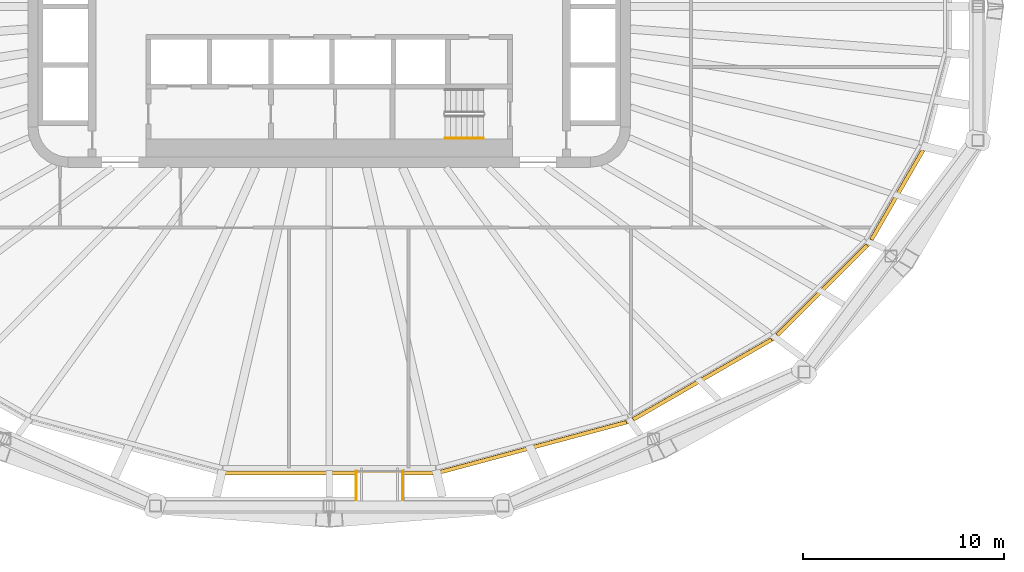
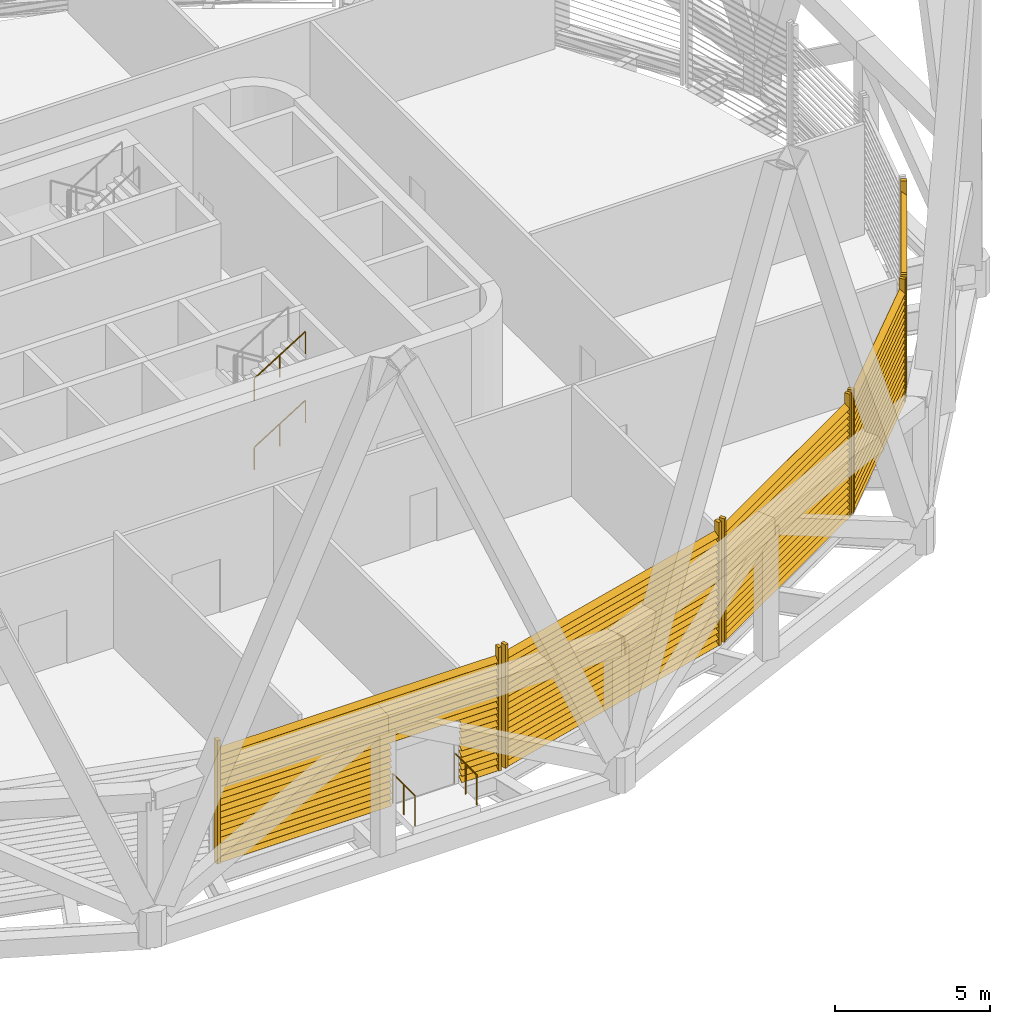
# One storey, part 14 of 18: 5 shading devices, 4 railings.
"""IFC4 building model written with IfcOpenShell, lengths in metres."""

from ifc_helpers import new_model, si_unit, direction, frame, origin, origin_2d, place, context, subcontext, project, spatial, rectangle, circle, extrude, material, type_object, element, save


model = new_model("IFC4")

# Units and contexts
model_context = context("Model", 3, precision=1e-05, world=origin(), true_north=direction((0.0, 1.0)))
body_context = subcontext(model_context, "Body", "Model", "MODEL_VIEW")
ifc_project = project(units=[si_unit("LENGTHUNIT", "METRE"), si_unit("AREAUNIT", "SQUARE_METRE"), si_unit("VOLUMEUNIT", "CUBIC_METRE"), si_unit("PLANEANGLEUNIT", "RADIAN"), si_unit("MASSUNIT", "GRAM", prefix="KILO")], contexts=[model_context])

# Site, building, storey
site_placement = place(None, origin())
site = spatial("IfcSite", under=ifc_project, at=site_placement, CompositionType="ELEMENT")
building_placement = place(site_placement, origin())
building = spatial("IfcBuilding", under=site, at=building_placement, Name="Sahrelin Media Tower", CompositionType="ELEMENT")
storey_placement = place(building_placement, frame((0.0, 0.0, 197.60009765625)))
storey = spatial("IfcBuildingStorey", under=building, at=storey_placement, Name="L42", CompositionType="ELEMENT", Elevation=197.60009765625)

# Railings
ifc_material_1 = material(Name="Stainless steel 316", Category="steel")
railing_type_1 = type_object("IfcRailingType", Name="Maintenance platform guard", PredefinedType="GUARDRAIL", material=ifc_material_1)
for number, where, name in (
    (1, (1.35009765625, -23.119140625, 0.0), "Maintenance platform guard L42-18-A"),
    (2, (3.64990234375, -23.119140625, 0.0), "Maintenance platform guard L42-18-B"),
):
    element("IfcRailing", number, at=place(storey_placement, frame(where)), inside=storey, type_object=railing_type_1, Name=name, PredefinedType="GUARDRAIL", context=body_context, shape_type="SweptSolid", body=[
        extrude(circle(Radius=0.02392578125, at=origin_2d()), frame((0.0, 0.0, 1.17578125), z_axis=(0.0, -1.0, 0.0), x_axis=(1.0, 0.0, 0.0)), (0.0, 0.0, 1.0), 1.43310546875),
        extrude(circle(Radius=0.02099609375, at=origin_2d()), origin(), (0.0, 0.0, 1.0), 1.15185546875),
        extrude(circle(Radius=0.02099609375, at=origin_2d()), frame((0.0, -0.716552734375, 0.0)), (0.0, 0.0, 1.0), 1.15185546875),
        extrude(circle(Radius=0.02099609375, at=origin_2d()), frame((0.0, -1.43310546875, 0.0)), (0.0, 0.0, 1.0), 1.15185546875),
    ])

# Shading devices
ifc_material_2 = material(Name="Champagne anodised aluminium 6063-T6", Category="aluminium")
shading_device_type = type_object("IfcShadingDeviceType", Name="Sand-rejection louvre band", PredefinedType="USERDEFINED", material=ifc_material_2)
shading_device_1_placement = place(storey_placement, frame((0.0, -23.119140625, 0.0), z_axis=(0.0, 0.0, 1.0), x_axis=(-1.0, 0.0, 0.0)))
element("IfcShadingDevice", 3, at=shading_device_1_placement, inside=storey, type_object=shading_device_type, Name="L42:LOUVRE:L42-18", ObjectType="LOUVRE", PredefinedType="USERDEFINED", context=body_context, shape_type="SweptSolid", body=[
    extrude(rectangle(XDim=0.1201171875, YDim=0.199951171875, at=origin_2d()), frame((5.222412109375, 0.10009765625, 0.050048828125), z_axis=(0.0, 0.0, 1.0), x_axis=(1.0, 0.0, 0.0)), (0.0, 0.0, 1.0), 4.8486328125),
    extrude(rectangle(XDim=0.1201171875, YDim=0.199951171875, at=origin_2d()), frame((-5.222412109375, 0.10009765625, 0.050048828125), z_axis=(0.0, 0.0, 1.0), x_axis=(1.0, 0.0, 0.0)), (0.0, 0.0, 1.0), 4.8486328125),
    extrude(rectangle(XDim=0.25, YDim=0.02001953125, at=origin_2d()), frame((5.162353515625, 0.10009765625, 0.14990234375), z_axis=(-1.0, 0.0, 0.0), x_axis=(0.0, -0.766044443119, 0.642787609687)), (0.0, 0.0, 1.0), 6.3623046875),
    extrude(rectangle(XDim=0.25, YDim=0.02001953125, at=origin_2d()), frame((-3.800048828125, 0.10009765625, 0.14990234375), z_axis=(-1.0, 0.0, 0.0), x_axis=(0.0, -0.766044443119, 0.642787609687)), (0.0, 0.0, 1.0), 1.3623046875),
    extrude(rectangle(XDim=0.25, YDim=0.02001953125, at=origin_2d()), frame((5.162353515625, 0.10009765625, 0.39990234375), z_axis=(-1.0, 0.0, 0.0), x_axis=(0.0, -0.766044443119, 0.642787609687)), (0.0, 0.0, 1.0), 6.3623046875),
    extrude(rectangle(XDim=0.25, YDim=0.02001953125, at=origin_2d()), frame((-3.800048828125, 0.10009765625, 0.39990234375), z_axis=(-1.0, 0.0, 0.0), x_axis=(0.0, -0.766044443119, 0.642787609687)), (0.0, 0.0, 1.0), 1.3623046875),
    extrude(rectangle(XDim=0.25, YDim=0.02001953125, at=origin_2d()), frame((5.162353515625, 0.10009765625, 0.64990234375), z_axis=(-1.0, 0.0, 0.0), x_axis=(0.0, -0.766044443119, 0.642787609687)), (0.0, 0.0, 1.0), 6.3623046875),
    extrude(rectangle(XDim=0.25, YDim=0.02001953125, at=origin_2d()), frame((-3.800048828125, 0.10009765625, 0.64990234375), z_axis=(-1.0, 0.0, 0.0), x_axis=(0.0, -0.766044443119, 0.642787609687)), (0.0, 0.0, 1.0), 1.3623046875),
    extrude(rectangle(XDim=0.25, YDim=0.02001953125, at=origin_2d()), frame((5.162353515625, 0.10009765625, 0.89990234375), z_axis=(-1.0, 0.0, 0.0), x_axis=(0.0, -0.766044443119, 0.642787609687)), (0.0, 0.0, 1.0), 6.3623046875),
    extrude(rectangle(XDim=0.25, YDim=0.02001953125, at=origin_2d()), frame((-3.800048828125, 0.10009765625, 0.89990234375), z_axis=(-1.0, 0.0, 0.0), x_axis=(0.0, -0.766044443119, 0.642787609687)), (0.0, 0.0, 1.0), 1.3623046875),
    extrude(rectangle(XDim=0.25, YDim=0.02001953125, at=origin_2d()), frame((5.162353515625, 0.10009765625, 1.14990234375), z_axis=(-1.0, 0.0, 0.0), x_axis=(0.0, -0.766044443119, 0.642787609687)), (0.0, 0.0, 1.0), 6.3623046875),
    extrude(rectangle(XDim=0.25, YDim=0.02001953125, at=origin_2d()), frame((-3.800048828125, 0.10009765625, 1.14990234375), z_axis=(-1.0, 0.0, 0.0), x_axis=(0.0, -0.766044443119, 0.642787609687)), (0.0, 0.0, 1.0), 1.3623046875),
    extrude(rectangle(XDim=0.25, YDim=0.02001953125, at=origin_2d()), frame((5.162353515625, 0.10009765625, 1.39990234375), z_axis=(-1.0, 0.0, 0.0), x_axis=(0.0, -0.766044443119, 0.642787609687)), (0.0, 0.0, 1.0), 6.3623046875),
    extrude(rectangle(XDim=0.25, YDim=0.02001953125, at=origin_2d()), frame((-3.800048828125, 0.10009765625, 1.39990234375), z_axis=(-1.0, 0.0, 0.0), x_axis=(0.0, -0.766044443119, 0.642787609687)), (0.0, 0.0, 1.0), 1.3623046875),
    extrude(rectangle(XDim=0.25, YDim=0.02001953125, at=origin_2d()), frame((5.162353515625, 0.10009765625, 1.64990234375), z_axis=(-1.0, 0.0, 0.0), x_axis=(0.0, -0.766044443119, 0.642787609687)), (0.0, 0.0, 1.0), 6.3623046875),
    extrude(rectangle(XDim=0.25, YDim=0.02001953125, at=origin_2d()), frame((-3.800048828125, 0.10009765625, 1.64990234375), z_axis=(-1.0, 0.0, 0.0), x_axis=(0.0, -0.766044443119, 0.642787609687)), (0.0, 0.0, 1.0), 1.3623046875),
    extrude(rectangle(XDim=0.25, YDim=0.02001953125, at=origin_2d()), frame((5.162353515625, 0.10009765625, 1.89990234375), z_axis=(-1.0, 0.0, 0.0), x_axis=(0.0, -0.766044443119, 0.642787609687)), (0.0, 0.0, 1.0), 6.3623046875),
    extrude(rectangle(XDim=0.25, YDim=0.02001953125, at=origin_2d()), frame((-3.800048828125, 0.10009765625, 1.89990234375), z_axis=(-1.0, 0.0, 0.0), x_axis=(0.0, -0.766044443119, 0.642787609687)), (0.0, 0.0, 1.0), 1.3623046875),
    extrude(rectangle(XDim=0.25, YDim=0.02001953125, at=origin_2d()), frame((5.162353515625, 0.10009765625, 2.14990234375), z_axis=(-1.0, 0.0, 0.0), x_axis=(0.0, -0.766044443119, 0.642787609687)), (0.0, 0.0, 1.0), 6.3623046875),
    extrude(rectangle(XDim=0.25, YDim=0.02001953125, at=origin_2d()), frame((-3.800048828125, 0.10009765625, 2.14990234375), z_axis=(-1.0, 0.0, 0.0), x_axis=(0.0, -0.766044443119, 0.642787609687)), (0.0, 0.0, 1.0), 1.3623046875),
    extrude(rectangle(XDim=0.25, YDim=0.02001953125, at=origin_2d()), frame((5.162353515625, 0.10009765625, 2.39990234375), z_axis=(-1.0, 0.0, 0.0), x_axis=(0.0, -0.766044443119, 0.642787609687)), (0.0, 0.0, 1.0), 6.3623046875),
    extrude(rectangle(XDim=0.25, YDim=0.02001953125, at=origin_2d()), frame((-3.800048828125, 0.10009765625, 2.39990234375), z_axis=(-1.0, 0.0, 0.0), x_axis=(0.0, -0.766044443119, 0.642787609687)), (0.0, 0.0, 1.0), 1.3623046875),
    extrude(rectangle(XDim=0.25, YDim=0.02001953125, at=origin_2d()), frame((5.162353515625, 0.10009765625, 2.64990234375), z_axis=(-1.0, 0.0, 0.0), x_axis=(0.0, -0.766044443119, 0.642787609687)), (0.0, 0.0, 1.0), 10.32470703125),
    extrude(rectangle(XDim=0.25, YDim=0.02001953125, at=origin_2d()), frame((5.162353515625, 0.10009765625, 2.89990234375), z_axis=(-1.0, 0.0, 0.0), x_axis=(0.0, -0.766044443119, 0.642787609687)), (0.0, 0.0, 1.0), 10.32470703125),
    extrude(rectangle(XDim=0.25, YDim=0.02001953125, at=origin_2d()), frame((5.162353515625, 0.10009765625, 3.14990234375), z_axis=(-1.0, 0.0, 0.0), x_axis=(0.0, -0.766044443119, 0.642787609687)), (0.0, 0.0, 1.0), 10.32470703125),
    extrude(rectangle(XDim=0.25, YDim=0.02001953125, at=origin_2d()), frame((5.162353515625, 0.10009765625, 3.39990234375), z_axis=(-1.0, 0.0, 0.0), x_axis=(0.0, -0.766044443119, 0.642787609687)), (0.0, 0.0, 1.0), 10.32470703125),
    extrude(rectangle(XDim=0.25, YDim=0.02001953125, at=origin_2d()), frame((5.162353515625, 0.10009765625, 3.64990234375), z_axis=(-1.0, 0.0, 0.0), x_axis=(0.0, -0.766044443119, 0.642787609687)), (0.0, 0.0, 1.0), 10.32470703125),
    extrude(rectangle(XDim=0.25, YDim=0.02001953125, at=origin_2d()), frame((5.162353515625, 0.10009765625, 3.89990234375), z_axis=(-1.0, 0.0, 0.0), x_axis=(0.0, -0.766044443119, 0.642787609687)), (0.0, 0.0, 1.0), 10.32470703125),
    extrude(rectangle(XDim=0.25, YDim=0.02001953125, at=origin_2d()), frame((5.162353515625, 0.10009765625, 4.14990234375), z_axis=(-1.0, 0.0, 0.0), x_axis=(0.0, -0.766044443119, 0.642787609687)), (0.0, 0.0, 1.0), 10.32470703125),
    extrude(rectangle(XDim=0.25, YDim=0.02001953125, at=origin_2d()), frame((5.162353515625, 0.10009765625, 4.39990234375), z_axis=(-1.0, 0.0, 0.0), x_axis=(0.0, -0.766044443119, 0.642787609687)), (0.0, 0.0, 1.0), 10.32470703125),
])
shading_device_2_placement = place(storey_placement, frame((10.13037109375, -21.83349609375, 0.0), z_axis=(0.0, 0.0, 1.0), x_axis=(-0.965928857556, -0.258807731996, 0.0)))
element("IfcShadingDevice", 4, at=shading_device_2_placement, inside=storey, type_object=shading_device_type, Name="L42:LOUVRE:L42-19", ObjectType="LOUVRE", PredefinedType="USERDEFINED", context=body_context, shape_type="SweptSolid", body=[
    extrude(rectangle(XDim=0.1201171875, YDim=0.199951171875, at=origin_2d()), frame((4.857177734375, 0.10009765625, 0.050048828125), z_axis=(0.0, 0.0, 1.0), x_axis=(1.0, 0.0, 0.0)), (0.0, 0.0, 1.0), 4.8486328125),
    extrude(rectangle(XDim=0.1201171875, YDim=0.199951171875, at=origin_2d()), frame((-4.857177734375, 0.10009765625, 0.050048828125), z_axis=(0.0, 0.0, 1.0), x_axis=(1.0, 0.0, 0.0)), (0.0, 0.0, 1.0), 4.8486328125),
    extrude(rectangle(XDim=0.25, YDim=0.02001953125, at=origin_2d()), frame((4.797119140625, 0.10009765625, 0.14990234375), z_axis=(-1.0, 0.0, 0.0), x_axis=(0.0, -0.766044443119, 0.642787609687)), (0.0, 0.0, 1.0), 9.59423828125),
    extrude(rectangle(XDim=0.25, YDim=0.02001953125, at=origin_2d()), frame((4.797119140625, 0.10009765625, 0.39990234375), z_axis=(-1.0, 0.0, 0.0), x_axis=(0.0, -0.766044443119, 0.642787609687)), (0.0, 0.0, 1.0), 9.59423828125),
    extrude(rectangle(XDim=0.25, YDim=0.02001953125, at=origin_2d()), frame((4.797119140625, 0.10009765625, 0.64990234375), z_axis=(-1.0, 0.0, 0.0), x_axis=(0.0, -0.766044443119, 0.642787609687)), (0.0, 0.0, 1.0), 9.59423828125),
    extrude(rectangle(XDim=0.25, YDim=0.02001953125, at=origin_2d()), frame((4.797119140625, 0.10009765625, 0.89990234375), z_axis=(-1.0, 0.0, 0.0), x_axis=(0.0, -0.766044443119, 0.642787609687)), (0.0, 0.0, 1.0), 9.59423828125),
    extrude(rectangle(XDim=0.25, YDim=0.02001953125, at=origin_2d()), frame((4.797119140625, 0.10009765625, 1.14990234375), z_axis=(-1.0, 0.0, 0.0), x_axis=(0.0, -0.766044443119, 0.642787609687)), (0.0, 0.0, 1.0), 9.59423828125),
    extrude(rectangle(XDim=0.25, YDim=0.02001953125, at=origin_2d()), frame((4.797119140625, 0.10009765625, 1.39990234375), z_axis=(-1.0, 0.0, 0.0), x_axis=(0.0, -0.766044443119, 0.642787609687)), (0.0, 0.0, 1.0), 9.59423828125),
    extrude(rectangle(XDim=0.25, YDim=0.02001953125, at=origin_2d()), frame((4.797119140625, 0.10009765625, 1.64990234375), z_axis=(-1.0, 0.0, 0.0), x_axis=(0.0, -0.766044443119, 0.642787609687)), (0.0, 0.0, 1.0), 9.59423828125),
    extrude(rectangle(XDim=0.25, YDim=0.02001953125, at=origin_2d()), frame((4.797119140625, 0.10009765625, 1.89990234375), z_axis=(-1.0, 0.0, 0.0), x_axis=(0.0, -0.766044443119, 0.642787609687)), (0.0, 0.0, 1.0), 9.59423828125),
    extrude(rectangle(XDim=0.25, YDim=0.02001953125, at=origin_2d()), frame((4.797119140625, 0.10009765625, 2.14990234375), z_axis=(-1.0, 0.0, 0.0), x_axis=(0.0, -0.766044443119, 0.642787609687)), (0.0, 0.0, 1.0), 9.59423828125),
    extrude(rectangle(XDim=0.25, YDim=0.02001953125, at=origin_2d()), frame((4.797119140625, 0.10009765625, 2.39990234375), z_axis=(-1.0, 0.0, 0.0), x_axis=(0.0, -0.766044443119, 0.642787609687)), (0.0, 0.0, 1.0), 9.59423828125),
    extrude(rectangle(XDim=0.25, YDim=0.02001953125, at=origin_2d()), frame((4.797119140625, 0.10009765625, 2.64990234375), z_axis=(-1.0, 0.0, 0.0), x_axis=(0.0, -0.766044443119, 0.642787609687)), (0.0, 0.0, 1.0), 9.59423828125),
    extrude(rectangle(XDim=0.25, YDim=0.02001953125, at=origin_2d()), frame((4.797119140625, 0.10009765625, 2.89990234375), z_axis=(-1.0, 0.0, 0.0), x_axis=(0.0, -0.766044443119, 0.642787609687)), (0.0, 0.0, 1.0), 9.59423828125),
    extrude(rectangle(XDim=0.25, YDim=0.02001953125, at=origin_2d()), frame((4.797119140625, 0.10009765625, 3.14990234375), z_axis=(-1.0, 0.0, 0.0), x_axis=(0.0, -0.766044443119, 0.642787609687)), (0.0, 0.0, 1.0), 9.59423828125),
    extrude(rectangle(XDim=0.25, YDim=0.02001953125, at=origin_2d()), frame((4.797119140625, 0.10009765625, 3.39990234375), z_axis=(-1.0, 0.0, 0.0), x_axis=(0.0, -0.766044443119, 0.642787609687)), (0.0, 0.0, 1.0), 9.59423828125),
    extrude(rectangle(XDim=0.25, YDim=0.02001953125, at=origin_2d()), frame((4.797119140625, 0.10009765625, 3.64990234375), z_axis=(-1.0, 0.0, 0.0), x_axis=(0.0, -0.766044443119, 0.642787609687)), (0.0, 0.0, 1.0), 9.59423828125),
    extrude(rectangle(XDim=0.25, YDim=0.02001953125, at=origin_2d()), frame((4.797119140625, 0.10009765625, 3.89990234375), z_axis=(-1.0, 0.0, 0.0), x_axis=(0.0, -0.766044443119, 0.642787609687)), (0.0, 0.0, 1.0), 9.59423828125),
    extrude(rectangle(XDim=0.25, YDim=0.02001953125, at=origin_2d()), frame((4.797119140625, 0.10009765625, 4.14990234375), z_axis=(-1.0, 0.0, 0.0), x_axis=(0.0, -0.766044443119, 0.642787609687)), (0.0, 0.0, 1.0), 9.59423828125),
    extrude(rectangle(XDim=0.25, YDim=0.02001953125, at=origin_2d()), frame((4.797119140625, 0.10009765625, 4.39990234375), z_axis=(-1.0, 0.0, 0.0), x_axis=(0.0, -0.766044443119, 0.642787609687)), (0.0, 0.0, 1.0), 9.59423828125),
])
shading_device_3_placement = place(storey_placement, frame((18.518798828125, -18.47509765625, 0.0), z_axis=(0.0, 0.0, 1.0), x_axis=(-0.866019052629, -0.500011000363, 0.0)))
element("IfcShadingDevice", 5, at=shading_device_3_placement, inside=storey, type_object=shading_device_type, Name="L42:LOUVRE:L42-20", ObjectType="LOUVRE", PredefinedType="USERDEFINED", context=body_context, shape_type="SweptSolid", body=[
    extrude(rectangle(XDim=0.1201171875, YDim=0.199951171875, at=origin_2d()), frame((4.035888671875, 0.10009765625, 0.050048828125), z_axis=(0.0, 0.0, 1.0), x_axis=(1.0, 0.0, 0.0)), (0.0, 0.0, 1.0), 4.8486328125),
    extrude(rectangle(XDim=0.1201171875, YDim=0.199951171875, at=origin_2d()), frame((-4.035888671875, 0.10009765625, 0.050048828125), z_axis=(0.0, 0.0, 1.0), x_axis=(1.0, 0.0, 0.0)), (0.0, 0.0, 1.0), 4.8486328125),
    extrude(rectangle(XDim=0.25, YDim=0.02001953125, at=origin_2d()), frame((3.975830078125, 0.10009765625, 0.14990234375), z_axis=(-1.0, 0.0, 0.0), x_axis=(0.0, -0.766044443119, 0.642787609687)), (0.0, 0.0, 1.0), 7.95166015625),
    extrude(rectangle(XDim=0.25, YDim=0.02001953125, at=origin_2d()), frame((3.975830078125, 0.10009765625, 0.39990234375), z_axis=(-1.0, 0.0, 0.0), x_axis=(0.0, -0.766044443119, 0.642787609687)), (0.0, 0.0, 1.0), 7.95166015625),
    extrude(rectangle(XDim=0.25, YDim=0.02001953125, at=origin_2d()), frame((3.975830078125, 0.10009765625, 0.64990234375), z_axis=(-1.0, 0.0, 0.0), x_axis=(0.0, -0.766044443119, 0.642787609687)), (0.0, 0.0, 1.0), 7.95166015625),
    extrude(rectangle(XDim=0.25, YDim=0.02001953125, at=origin_2d()), frame((3.975830078125, 0.10009765625, 0.89990234375), z_axis=(-1.0, 0.0, 0.0), x_axis=(0.0, -0.766044443119, 0.642787609687)), (0.0, 0.0, 1.0), 7.95166015625),
    extrude(rectangle(XDim=0.25, YDim=0.02001953125, at=origin_2d()), frame((3.975830078125, 0.10009765625, 1.14990234375), z_axis=(-1.0, 0.0, 0.0), x_axis=(0.0, -0.766044443119, 0.642787609687)), (0.0, 0.0, 1.0), 7.95166015625),
    extrude(rectangle(XDim=0.25, YDim=0.02001953125, at=origin_2d()), frame((3.975830078125, 0.10009765625, 1.39990234375), z_axis=(-1.0, 0.0, 0.0), x_axis=(0.0, -0.766044443119, 0.642787609687)), (0.0, 0.0, 1.0), 7.95166015625),
    extrude(rectangle(XDim=0.25, YDim=0.02001953125, at=origin_2d()), frame((3.975830078125, 0.10009765625, 1.64990234375), z_axis=(-1.0, 0.0, 0.0), x_axis=(0.0, -0.766044443119, 0.642787609687)), (0.0, 0.0, 1.0), 7.95166015625),
    extrude(rectangle(XDim=0.25, YDim=0.02001953125, at=origin_2d()), frame((3.975830078125, 0.10009765625, 1.89990234375), z_axis=(-1.0, 0.0, 0.0), x_axis=(0.0, -0.766044443119, 0.642787609687)), (0.0, 0.0, 1.0), 7.95166015625),
    extrude(rectangle(XDim=0.25, YDim=0.02001953125, at=origin_2d()), frame((3.975830078125, 0.10009765625, 2.14990234375), z_axis=(-1.0, 0.0, 0.0), x_axis=(0.0, -0.766044443119, 0.642787609687)), (0.0, 0.0, 1.0), 7.95166015625),
    extrude(rectangle(XDim=0.25, YDim=0.02001953125, at=origin_2d()), frame((3.975830078125, 0.10009765625, 2.39990234375), z_axis=(-1.0, 0.0, 0.0), x_axis=(0.0, -0.766044443119, 0.642787609687)), (0.0, 0.0, 1.0), 7.95166015625),
    extrude(rectangle(XDim=0.25, YDim=0.02001953125, at=origin_2d()), frame((3.975830078125, 0.10009765625, 2.64990234375), z_axis=(-1.0, 0.0, 0.0), x_axis=(0.0, -0.766044443119, 0.642787609687)), (0.0, 0.0, 1.0), 7.95166015625),
    extrude(rectangle(XDim=0.25, YDim=0.02001953125, at=origin_2d()), frame((3.975830078125, 0.10009765625, 2.89990234375), z_axis=(-1.0, 0.0, 0.0), x_axis=(0.0, -0.766044443119, 0.642787609687)), (0.0, 0.0, 1.0), 7.95166015625),
    extrude(rectangle(XDim=0.25, YDim=0.02001953125, at=origin_2d()), frame((3.975830078125, 0.10009765625, 3.14990234375), z_axis=(-1.0, 0.0, 0.0), x_axis=(0.0, -0.766044443119, 0.642787609687)), (0.0, 0.0, 1.0), 7.95166015625),
    extrude(rectangle(XDim=0.25, YDim=0.02001953125, at=origin_2d()), frame((3.975830078125, 0.10009765625, 3.39990234375), z_axis=(-1.0, 0.0, 0.0), x_axis=(0.0, -0.766044443119, 0.642787609687)), (0.0, 0.0, 1.0), 7.95166015625),
    extrude(rectangle(XDim=0.25, YDim=0.02001953125, at=origin_2d()), frame((3.975830078125, 0.10009765625, 3.64990234375), z_axis=(-1.0, 0.0, 0.0), x_axis=(0.0, -0.766044443119, 0.642787609687)), (0.0, 0.0, 1.0), 7.95166015625),
    extrude(rectangle(XDim=0.25, YDim=0.02001953125, at=origin_2d()), frame((3.975830078125, 0.10009765625, 3.89990234375), z_axis=(-1.0, 0.0, 0.0), x_axis=(0.0, -0.766044443119, 0.642787609687)), (0.0, 0.0, 1.0), 7.95166015625),
    extrude(rectangle(XDim=0.25, YDim=0.02001953125, at=origin_2d()), frame((3.975830078125, 0.10009765625, 4.14990234375), z_axis=(-1.0, 0.0, 0.0), x_axis=(0.0, -0.766044443119, 0.642787609687)), (0.0, 0.0, 1.0), 7.95166015625),
    extrude(rectangle(XDim=0.25, YDim=0.02001953125, at=origin_2d()), frame((3.975830078125, 0.10009765625, 4.39990234375), z_axis=(-1.0, 0.0, 0.0), x_axis=(0.0, -0.766044443119, 0.642787609687)), (0.0, 0.0, 1.0), 7.95166015625),
])
shading_device_4_placement = place(storey_placement, frame((24.4619140625, -14.04931640625, 0.0), z_axis=(0.0, 0.0, 1.0), x_axis=(-0.707106781187, -0.707106781187, 0.0)))
element("IfcShadingDevice", 6, at=shading_device_4_placement, inside=storey, type_object=shading_device_type, Name="L42:LOUVRE:L42-21", ObjectType="LOUVRE", PredefinedType="USERDEFINED", context=body_context, shape_type="SweptSolid", body=[
    extrude(rectangle(XDim=0.1201171875, YDim=0.199951171875, at=origin_2d()), frame((3.21728515625, 0.10009765625, 0.050048828125), z_axis=(0.0, 0.0, 1.0), x_axis=(1.0, 0.0, 0.0)), (0.0, 0.0, 1.0), 4.8486328125),
    extrude(rectangle(XDim=0.1201171875, YDim=0.199951171875, at=origin_2d()), frame((-3.21728515625, 0.10009765625, 0.050048828125), z_axis=(0.0, 0.0, 1.0), x_axis=(1.0, 0.0, 0.0)), (0.0, 0.0, 1.0), 4.8486328125),
    extrude(rectangle(XDim=0.25, YDim=0.02001953125, at=origin_2d()), frame((3.1572265625, 0.10009765625, 0.14990234375), z_axis=(-1.0, 0.0, 0.0), x_axis=(0.0, -0.766044443119, 0.642787609687)), (0.0, 0.0, 1.0), 6.314453125),
    extrude(rectangle(XDim=0.25, YDim=0.02001953125, at=origin_2d()), frame((3.1572265625, 0.10009765625, 0.39990234375), z_axis=(-1.0, 0.0, 0.0), x_axis=(0.0, -0.766044443119, 0.642787609687)), (0.0, 0.0, 1.0), 6.314453125),
    extrude(rectangle(XDim=0.25, YDim=0.02001953125, at=origin_2d()), frame((3.1572265625, 0.10009765625, 0.64990234375), z_axis=(-1.0, 0.0, 0.0), x_axis=(0.0, -0.766044443119, 0.642787609687)), (0.0, 0.0, 1.0), 6.314453125),
    extrude(rectangle(XDim=0.25, YDim=0.02001953125, at=origin_2d()), frame((3.1572265625, 0.10009765625, 0.89990234375), z_axis=(-1.0, 0.0, 0.0), x_axis=(0.0, -0.766044443119, 0.642787609687)), (0.0, 0.0, 1.0), 6.314453125),
    extrude(rectangle(XDim=0.25, YDim=0.02001953125, at=origin_2d()), frame((3.1572265625, 0.10009765625, 1.14990234375), z_axis=(-1.0, 0.0, 0.0), x_axis=(0.0, -0.766044443119, 0.642787609687)), (0.0, 0.0, 1.0), 6.314453125),
    extrude(rectangle(XDim=0.25, YDim=0.02001953125, at=origin_2d()), frame((3.1572265625, 0.10009765625, 1.39990234375), z_axis=(-1.0, 0.0, 0.0), x_axis=(0.0, -0.766044443119, 0.642787609687)), (0.0, 0.0, 1.0), 6.314453125),
    extrude(rectangle(XDim=0.25, YDim=0.02001953125, at=origin_2d()), frame((3.1572265625, 0.10009765625, 1.64990234375), z_axis=(-1.0, 0.0, 0.0), x_axis=(0.0, -0.766044443119, 0.642787609687)), (0.0, 0.0, 1.0), 6.314453125),
    extrude(rectangle(XDim=0.25, YDim=0.02001953125, at=origin_2d()), frame((3.1572265625, 0.10009765625, 1.89990234375), z_axis=(-1.0, 0.0, 0.0), x_axis=(0.0, -0.766044443119, 0.642787609687)), (0.0, 0.0, 1.0), 6.314453125),
    extrude(rectangle(XDim=0.25, YDim=0.02001953125, at=origin_2d()), frame((3.1572265625, 0.10009765625, 2.14990234375), z_axis=(-1.0, 0.0, 0.0), x_axis=(0.0, -0.766044443119, 0.642787609687)), (0.0, 0.0, 1.0), 6.314453125),
    extrude(rectangle(XDim=0.25, YDim=0.02001953125, at=origin_2d()), frame((3.1572265625, 0.10009765625, 2.39990234375), z_axis=(-1.0, 0.0, 0.0), x_axis=(0.0, -0.766044443119, 0.642787609687)), (0.0, 0.0, 1.0), 6.314453125),
    extrude(rectangle(XDim=0.25, YDim=0.02001953125, at=origin_2d()), frame((3.1572265625, 0.10009765625, 2.64990234375), z_axis=(-1.0, 0.0, 0.0), x_axis=(0.0, -0.766044443119, 0.642787609687)), (0.0, 0.0, 1.0), 6.314453125),
    extrude(rectangle(XDim=0.25, YDim=0.02001953125, at=origin_2d()), frame((3.1572265625, 0.10009765625, 2.89990234375), z_axis=(-1.0, 0.0, 0.0), x_axis=(0.0, -0.766044443119, 0.642787609687)), (0.0, 0.0, 1.0), 6.314453125),
    extrude(rectangle(XDim=0.25, YDim=0.02001953125, at=origin_2d()), frame((3.1572265625, 0.10009765625, 3.14990234375), z_axis=(-1.0, 0.0, 0.0), x_axis=(0.0, -0.766044443119, 0.642787609687)), (0.0, 0.0, 1.0), 6.314453125),
    extrude(rectangle(XDim=0.25, YDim=0.02001953125, at=origin_2d()), frame((3.1572265625, 0.10009765625, 3.39990234375), z_axis=(-1.0, 0.0, 0.0), x_axis=(0.0, -0.766044443119, 0.642787609687)), (0.0, 0.0, 1.0), 6.314453125),
    extrude(rectangle(XDim=0.25, YDim=0.02001953125, at=origin_2d()), frame((3.1572265625, 0.10009765625, 3.64990234375), z_axis=(-1.0, 0.0, 0.0), x_axis=(0.0, -0.766044443119, 0.642787609687)), (0.0, 0.0, 1.0), 6.314453125),
    extrude(rectangle(XDim=0.25, YDim=0.02001953125, at=origin_2d()), frame((3.1572265625, 0.10009765625, 3.89990234375), z_axis=(-1.0, 0.0, 0.0), x_axis=(0.0, -0.766044443119, 0.642787609687)), (0.0, 0.0, 1.0), 6.314453125),
    extrude(rectangle(XDim=0.25, YDim=0.02001953125, at=origin_2d()), frame((3.1572265625, 0.10009765625, 4.14990234375), z_axis=(-1.0, 0.0, 0.0), x_axis=(0.0, -0.766044443119, 0.642787609687)), (0.0, 0.0, 1.0), 6.314453125),
    extrude(rectangle(XDim=0.25, YDim=0.02001953125, at=origin_2d()), frame((3.1572265625, 0.10009765625, 4.39990234375), z_axis=(-1.0, 0.0, 0.0), x_axis=(0.0, -0.766044443119, 0.642787609687)), (0.0, 0.0, 1.0), 6.314453125),
])
shading_device_5_placement = place(storey_placement, frame((28.18408203125, -9.32470703125, 0.0), z_axis=(0.0, 0.0, 1.0), x_axis=(-0.500011000363, -0.866019052629, 0.0)))
element("IfcShadingDevice", 7, at=shading_device_5_placement, inside=storey, type_object=shading_device_type, Name="L42:LOUVRE:L42-22", ObjectType="LOUVRE", PredefinedType="USERDEFINED", context=body_context, shape_type="SweptSolid", body=[
    extrude(rectangle(XDim=0.1201171875, YDim=0.199951171875, at=origin_2d()), frame((2.62890625, 0.10009765625, 0.050048828125), z_axis=(0.0, 0.0, 1.0), x_axis=(1.0, 0.0, 0.0)), (0.0, 0.0, 1.0), 4.8486328125),
    extrude(rectangle(XDim=0.1201171875, YDim=0.199951171875, at=origin_2d()), frame((-2.62890625, 0.10009765625, 0.050048828125), z_axis=(0.0, 0.0, 1.0), x_axis=(1.0, 0.0, 0.0)), (0.0, 0.0, 1.0), 4.8486328125),
    extrude(rectangle(XDim=0.25, YDim=0.02001953125, at=origin_2d()), frame((2.569091796875, 0.10009765625, 0.14990234375), z_axis=(-1.0, 0.0, 0.0), x_axis=(0.0, -0.766044443119, 0.642787609687)), (0.0, 0.0, 1.0), 5.13818359375),
    extrude(rectangle(XDim=0.25, YDim=0.02001953125, at=origin_2d()), frame((2.569091796875, 0.10009765625, 0.39990234375), z_axis=(-1.0, 0.0, 0.0), x_axis=(0.0, -0.766044443119, 0.642787609687)), (0.0, 0.0, 1.0), 5.13818359375),
    extrude(rectangle(XDim=0.25, YDim=0.02001953125, at=origin_2d()), frame((2.569091796875, 0.10009765625, 0.64990234375), z_axis=(-1.0, 0.0, 0.0), x_axis=(0.0, -0.766044443119, 0.642787609687)), (0.0, 0.0, 1.0), 5.13818359375),
    extrude(rectangle(XDim=0.25, YDim=0.02001953125, at=origin_2d()), frame((2.569091796875, 0.10009765625, 0.89990234375), z_axis=(-1.0, 0.0, 0.0), x_axis=(0.0, -0.766044443119, 0.642787609687)), (0.0, 0.0, 1.0), 5.13818359375),
    extrude(rectangle(XDim=0.25, YDim=0.02001953125, at=origin_2d()), frame((2.569091796875, 0.10009765625, 1.14990234375), z_axis=(-1.0, 0.0, 0.0), x_axis=(0.0, -0.766044443119, 0.642787609687)), (0.0, 0.0, 1.0), 5.13818359375),
    extrude(rectangle(XDim=0.25, YDim=0.02001953125, at=origin_2d()), frame((2.569091796875, 0.10009765625, 1.39990234375), z_axis=(-1.0, 0.0, 0.0), x_axis=(0.0, -0.766044443119, 0.642787609687)), (0.0, 0.0, 1.0), 5.13818359375),
    extrude(rectangle(XDim=0.25, YDim=0.02001953125, at=origin_2d()), frame((2.569091796875, 0.10009765625, 1.64990234375), z_axis=(-1.0, 0.0, 0.0), x_axis=(0.0, -0.766044443119, 0.642787609687)), (0.0, 0.0, 1.0), 5.13818359375),
    extrude(rectangle(XDim=0.25, YDim=0.02001953125, at=origin_2d()), frame((2.569091796875, 0.10009765625, 1.89990234375), z_axis=(-1.0, 0.0, 0.0), x_axis=(0.0, -0.766044443119, 0.642787609687)), (0.0, 0.0, 1.0), 5.13818359375),
    extrude(rectangle(XDim=0.25, YDim=0.02001953125, at=origin_2d()), frame((2.569091796875, 0.10009765625, 2.14990234375), z_axis=(-1.0, 0.0, 0.0), x_axis=(0.0, -0.766044443119, 0.642787609687)), (0.0, 0.0, 1.0), 5.13818359375),
    extrude(rectangle(XDim=0.25, YDim=0.02001953125, at=origin_2d()), frame((2.569091796875, 0.10009765625, 2.39990234375), z_axis=(-1.0, 0.0, 0.0), x_axis=(0.0, -0.766044443119, 0.642787609687)), (0.0, 0.0, 1.0), 5.13818359375),
    extrude(rectangle(XDim=0.25, YDim=0.02001953125, at=origin_2d()), frame((2.569091796875, 0.10009765625, 2.64990234375), z_axis=(-1.0, 0.0, 0.0), x_axis=(0.0, -0.766044443119, 0.642787609687)), (0.0, 0.0, 1.0), 5.13818359375),
    extrude(rectangle(XDim=0.25, YDim=0.02001953125, at=origin_2d()), frame((2.569091796875, 0.10009765625, 2.89990234375), z_axis=(-1.0, 0.0, 0.0), x_axis=(0.0, -0.766044443119, 0.642787609687)), (0.0, 0.0, 1.0), 5.13818359375),
    extrude(rectangle(XDim=0.25, YDim=0.02001953125, at=origin_2d()), frame((2.569091796875, 0.10009765625, 3.14990234375), z_axis=(-1.0, 0.0, 0.0), x_axis=(0.0, -0.766044443119, 0.642787609687)), (0.0, 0.0, 1.0), 5.13818359375),
    extrude(rectangle(XDim=0.25, YDim=0.02001953125, at=origin_2d()), frame((2.569091796875, 0.10009765625, 3.39990234375), z_axis=(-1.0, 0.0, 0.0), x_axis=(0.0, -0.766044443119, 0.642787609687)), (0.0, 0.0, 1.0), 5.13818359375),
    extrude(rectangle(XDim=0.25, YDim=0.02001953125, at=origin_2d()), frame((2.569091796875, 0.10009765625, 3.64990234375), z_axis=(-1.0, 0.0, 0.0), x_axis=(0.0, -0.766044443119, 0.642787609687)), (0.0, 0.0, 1.0), 5.13818359375),
    extrude(rectangle(XDim=0.25, YDim=0.02001953125, at=origin_2d()), frame((2.569091796875, 0.10009765625, 3.89990234375), z_axis=(-1.0, 0.0, 0.0), x_axis=(0.0, -0.766044443119, 0.642787609687)), (0.0, 0.0, 1.0), 5.13818359375),
    extrude(rectangle(XDim=0.25, YDim=0.02001953125, at=origin_2d()), frame((2.569091796875, 0.10009765625, 4.14990234375), z_axis=(-1.0, 0.0, 0.0), x_axis=(0.0, -0.766044443119, 0.642787609687)), (0.0, 0.0, 1.0), 5.13818359375),
    extrude(rectangle(XDim=0.25, YDim=0.02001953125, at=origin_2d()), frame((2.569091796875, 0.10009765625, 4.39990234375), z_axis=(-1.0, 0.0, 0.0), x_axis=(0.0, -0.766044443119, 0.642787609687)), (0.0, 0.0, 1.0), 5.13818359375),
])

# Railings
ifc_material_3 = material(Name="Steel S355", Category="steel")
railing_type_2 = type_object("IfcRailingType", Name="Stair handrail 900", PredefinedType="HANDRAIL", material=ifc_material_3)
railing_1_placement = place(storey_placement, frame((5.77490234375, -6.550048828125, 1.5185546875)))
element("IfcRailing", 8, at=railing_1_placement, inside=storey, type_object=railing_type_2, Name="L42 ST2 stair handrail 2", PredefinedType="HANDRAIL", context=body_context, shape_type="SweptSolid", body=[
    extrude(circle(Radius=0.02392578125, at=origin_2d()), frame((0.0, 0.0, 0.8759765625), z_axis=(0.849240365539, 0.0, 0.528006440812), x_axis=(0.0, 1.0, 0.0)), (0.0, 0.0, 1.0), 2.237548828125),
    extrude(circle(Radius=0.02099609375, at=origin_2d()), origin(), (0.0, 0.0, 1.0), 0.851806640625),
    extrude(circle(Radius=0.02099609375, at=origin_2d()), frame((0.9501953125, 0.0, 0.5908203125)), (0.0, 0.0, 1.0), 0.851806640625),
    extrude(circle(Radius=0.02099609375, at=origin_2d()), frame((1.900146484375, 0.0, 1.181396484375)), (0.0, 0.0, 1.0), 0.851806640625),
])
railing_2_placement = place(storey_placement, frame((5.77490234375, -6.550048828125, 4.21875)))
element("IfcRailing", 9, at=railing_2_placement, inside=storey, type_object=railing_type_2, Name="L42 ST2 stair handrail 4", PredefinedType="HANDRAIL", context=body_context, shape_type="SweptSolid", body=[
    extrude(circle(Radius=0.02392578125, at=origin_2d()), frame((0.0, 0.0, 0.8759765625), z_axis=(0.849289292259, 0.0, 0.527927739425), x_axis=(0.0, 1.0, 0.0)), (0.0, 0.0, 1.0), 2.2373046875),
    extrude(circle(Radius=0.02099609375, at=origin_2d()), origin(), (0.0, 0.0, 1.0), 0.851806640625),
    extrude(circle(Radius=0.02099609375, at=origin_2d()), frame((0.9501953125, 0.0, 0.590576171875)), (0.0, 0.0, 1.0), 0.851806640625),
    extrude(circle(Radius=0.02099609375, at=origin_2d()), frame((1.900146484375, 0.0, 1.18115234375)), (0.0, 0.0, 1.0), 0.851806640625),
])

save(model, "model.ifc")
